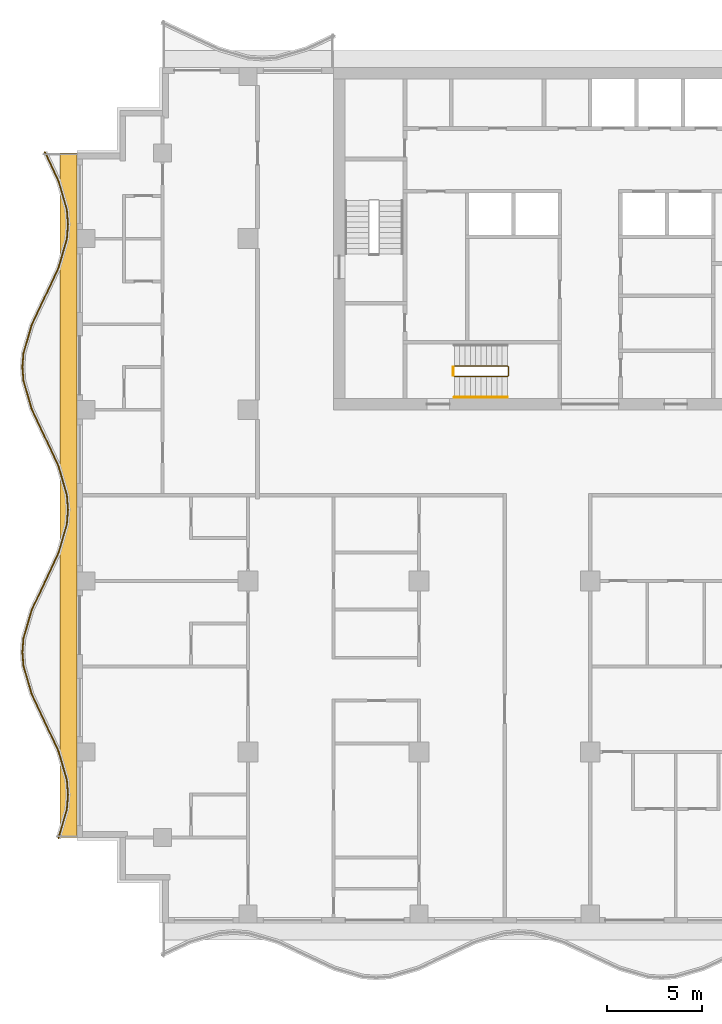
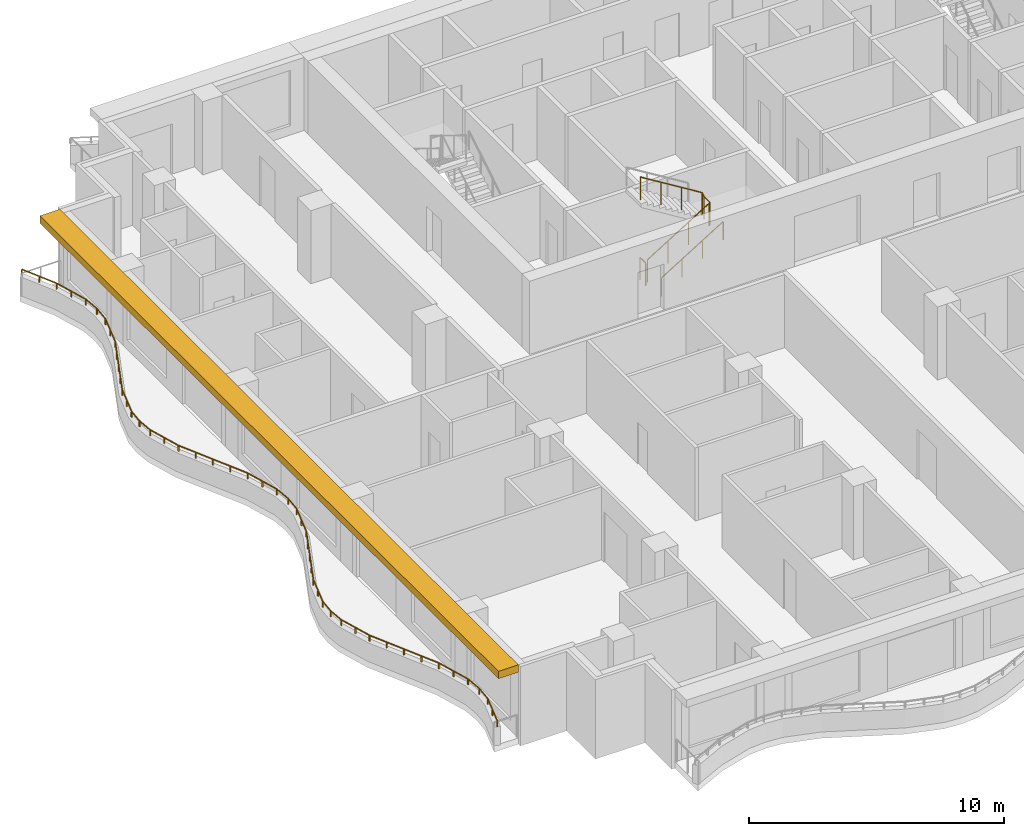
# One storey, part 9 of 11: 4 railings, 1 shading device.
"""IFC4 building model written with IfcOpenShell, lengths in metres."""

from ifc_helpers import new_model, si_unit, direction, frame, origin, origin_2d, place, context, subcontext, project, spatial, polyline, rectangle, circle, outline, extrude, material, layer, layer_set, type_object, element, save


model = new_model("IFC4")

# Units and contexts
model_context = context("Model", 3, precision=1e-05, world=origin(), true_north=direction((0.0, 1.0)))
body_context = subcontext(model_context, "Body", "Model", "MODEL_VIEW")
ifc_project = project(units=[si_unit("LENGTHUNIT", "METRE"), si_unit("AREAUNIT", "SQUARE_METRE"), si_unit("VOLUMEUNIT", "CUBIC_METRE"), si_unit("PLANEANGLEUNIT", "RADIAN"), si_unit("MASSUNIT", "GRAM", prefix="KILO")], contexts=[model_context])

# Site, building, storey
site_placement = place(None, origin())
site = spatial("IfcSite", under=ifc_project, at=site_placement, CompositionType="ELEMENT")
building_placement = place(site_placement, origin())
building = spatial("IfcBuilding", under=site, at=building_placement, Name="Orbiselva Terraces", CompositionType="ELEMENT")
storey_placement = place(building_placement, frame((0.0, 0.0, 226.2)))
storey = spatial("IfcBuildingStorey", under=building, at=storey_placement, Name="L57", CompositionType="ELEMENT", Elevation=226.2)

# Railings
ifc_material_1 = material(Name="Stainless steel", Category="steel")
railing_type_1 = type_object("IfcRailingType", Name="CORE-GUARD-1100", PredefinedType="GUARDRAIL", material=ifc_material_1)
railing_1_placement = place(storey_placement, frame((-7.15, 6.25, 0.172727)))
element("IfcRailing", 1, at=railing_1_placement, inside=storey, type_object=railing_type_1, Name="L57 S3 stair guard 1", PredefinedType="GUARDRAIL", context=body_context, shape_type="SweptSolid", body=[
    extrude(circle(Radius=0.024, at=origin_2d()), frame((0.0, 0.0, 1.081), z_axis=(0.851088519012, 0.0, 0.52502222125), x_axis=(0.0, 1.0, 0.0)), (0.0, 0.0, 1.0), 3.289905),
    extrude(circle(Radius=0.024, at=origin_2d()), frame((2.8, 0.0, 2.808273), z_axis=(0.707106781187, 0.707106781187, 0.0), x_axis=(-0.707106781187, 0.707106781187, 0.0)), (0.0, 0.0, 1.0), 0.070711),
    extrude(circle(Radius=0.024, at=origin_2d()), frame((2.85, 0.05, 2.808273), z_axis=(0.0, 1.0, 0.0), x_axis=(-1.0, 0.0, 0.0)), (0.0, 0.0, 1.0), 0.45),
    extrude(circle(Radius=0.024, at=origin_2d()), frame((2.85, 0.5, 2.808273), z_axis=(-0.267894925557, 0.267894925557, 0.925453736133), x_axis=(-0.707106781187, -0.707106781187, 0.0)), (0.0, 0.0, 1.0), 0.18664),
    extrude(circle(Radius=0.024, at=origin_2d()), frame((2.8, 0.55, 2.981), z_axis=(-0.851088519012, 0.0, 0.52502222125), x_axis=(0.0, -1.0, 0.0)), (0.0, 0.0, 1.0), 3.289905),
    extrude(circle(Radius=0.021, at=origin_2d()), origin(), (0.0, 0.0, 1.0), 1.057),
    extrude(circle(Radius=0.021, at=origin_2d()), frame((0.933333, 0.0, 0.575758)), (0.0, 0.0, 1.0), 1.057),
    extrude(circle(Radius=0.021, at=origin_2d()), frame((1.866667, 0.0, 1.151515)), (0.0, 0.0, 1.0), 1.057),
    extrude(circle(Radius=0.021, at=origin_2d()), frame((2.8, 0.0, 1.727273)), (0.0, 0.0, 1.0), 1.057),
    extrude(circle(Radius=0.021, at=origin_2d()), frame((2.85, 0.05, 1.727273)), (0.0, 0.0, 1.0), 1.057),
    extrude(circle(Radius=0.021, at=origin_2d()), frame((2.85, 0.5, 1.727273)), (0.0, 0.0, 1.0), 1.057),
    extrude(circle(Radius=0.021, at=origin_2d()), frame((2.8, 0.55, 1.9)), (0.0, 0.0, 1.0), 1.057),
    extrude(circle(Radius=0.021, at=origin_2d()), frame((1.866667, 0.55, 2.475758)), (0.0, 0.0, 1.0), 1.057),
    extrude(circle(Radius=0.021, at=origin_2d()), frame((0.933333, 0.55, 3.051515)), (0.0, 0.0, 1.0), 1.057),
    extrude(circle(Radius=0.021, at=origin_2d()), frame((0.0, 0.55, 3.627273)), (0.0, 0.0, 1.0), 1.057),
])
railing_2_placement = place(storey_placement, frame((-7.2, 6.3, 0.0)))
element("IfcRailing", 2, at=railing_2_placement, inside=storey, type_object=railing_type_1, Name="L57 S3 stair guard 2", PredefinedType="GUARDRAIL", context=body_context, shape_type="SweptSolid", body=[
    extrude(circle(Radius=0.024, at=origin_2d()), frame((0.0, 0.0, 1.081), z_axis=(0.0, 1.0, 0.0), x_axis=(-1.0, 0.0, 0.0)), (0.0, 0.0, 1.0), 0.45),
    extrude(circle(Radius=0.021, at=origin_2d()), origin(), (0.0, 0.0, 1.0), 1.057),
    extrude(circle(Radius=0.021, at=origin_2d()), frame((0.0, 0.45, 0.0)), (0.0, 0.0, 1.0), 1.057),
])
railing_type_2 = type_object("IfcRailingType", Name="CORE-HANDRAIL-900", PredefinedType="HANDRAIL", material=ifc_material_1)
railing_3_placement = place(storey_placement, frame((-7.15, 5.15, 0.172727)))
element("IfcRailing", 3, at=railing_3_placement, inside=storey, type_object=railing_type_2, Name="L57 S3 stair handrail 1", PredefinedType="HANDRAIL", context=body_context, shape_type="SweptSolid", body=[
    extrude(circle(Radius=0.024, at=origin_2d()), frame((0.0, 0.0, 0.876), z_axis=(0.851088519012, 0.0, 0.52502222125), x_axis=(0.0, 1.0, 0.0)), (0.0, 0.0, 1.0), 3.289905),
    extrude(circle(Radius=0.021, at=origin_2d()), origin(), (0.0, 0.0, 1.0), 0.852),
    extrude(circle(Radius=0.021, at=origin_2d()), frame((0.933333, 0.0, 0.575758)), (0.0, 0.0, 1.0), 0.852),
    extrude(circle(Radius=0.021, at=origin_2d()), frame((1.866667, 0.0, 1.151515)), (0.0, 0.0, 1.0), 0.852),
    extrude(circle(Radius=0.021, at=origin_2d()), frame((2.8, 0.0, 1.727273)), (0.0, 0.0, 1.0), 0.852),
])
ifc_material_2 = material(Name="Bonded two-ply safety glass balustrade, stainless steel posts", Category="steel")
railing_type_3 = type_object("IfcRailingType", Name="ENV-BALUSTRADE-1200", PredefinedType="BALUSTRADE", material=ifc_material_2)
railing_4_placement = place(storey_placement, frame((-28.686882, 18.053191, 0.9)))
element("IfcRailing", 4, at=railing_4_placement, inside=storey, type_object=railing_type_3, Name="Balcony balustrade L57 W", PredefinedType="BALUSTRADE", context=body_context, shape_type="SweptSolid", body=[
    extrude(outline(polyline([(0.028868, 0.0), (0.014434, 0.025), (-0.014434, 0.025), (-0.028868, 0.0), (-0.014434, -0.025), (0.014434, -0.025), (0.028868, 0.0)])), frame((0.0, 0.0, 0.275), z_axis=(0.425530342069, -0.904944157382, 0.0), x_axis=(0.904944157382, 0.425530342069, 0.0)), (0.0, 0.0, 1.0), 1.667376),
    extrude(outline(polyline([(0.028868, 0.0), (0.014434, 0.025), (-0.014434, 0.025), (-0.028868, 0.0), (-0.014434, -0.025), (0.014434, -0.025), (0.028868, 0.0)])), frame((0.709519, -1.508882, 0.275), z_axis=(0.279070928786, -0.960270491427, 0.0), x_axis=(0.960270491427, 0.279070928786, 0.0)), (0.0, 0.0, 1.0), 1.584712),
    extrude(outline(polyline([(0.028868, 0.0), (0.014434, 0.025), (-0.014434, 0.025), (-0.028868, 0.0), (-0.014434, -0.025), (0.014434, -0.025), (0.028868, 0.0)])), frame((1.151766, -3.030634, 0.275), z_axis=(0.078071061106, -0.996947796737, 0.0), x_axis=(0.996947796737, 0.078071061106, 0.0)), (0.0, 0.0, 1.0), 0.774922),
    extrude(outline(polyline([(0.028868, 0.0), (0.014434, 0.025), (-0.014434, 0.025), (-0.028868, 0.0), (-0.014434, -0.025), (0.014434, -0.025), (0.028868, 0.0)])), frame((1.212265, -3.803191, 0.275), z_axis=(-0.078071061106, -0.996947796737, 0.0), x_axis=(0.996947796737, -0.078071061106, 0.0)), (0.0, 0.0, 1.0), 0.774922),
    extrude(outline(polyline([(0.028868, 0.0), (0.014434, 0.025), (-0.014434, 0.025), (-0.028868, 0.0), (-0.014434, -0.025), (0.014434, -0.025), (0.028868, 0.0)])), frame((1.151766, -4.575748, 0.275), z_axis=(-0.279070928786, -0.960270491427, 0.0), x_axis=(0.960270491427, -0.279070928786, 0.0)), (0.0, 0.0, 1.0), 1.584712),
    extrude(outline(polyline([(0.028868, 0.0), (0.014434, 0.025), (-0.014434, 0.025), (-0.028868, 0.0), (-0.014434, -0.025), (0.014434, -0.025), (0.028868, 0.0)])), frame((0.709519, -6.0975, 0.275), z_axis=(-0.425530342069, -0.904944157382, 0.0), x_axis=(0.904944157382, -0.425530342069, 0.0)), (0.0, 0.0, 1.0), 1.667376),
    extrude(outline(polyline([(0.028868, 0.0), (0.014434, 0.025), (-0.014434, 0.025), (-0.028868, 0.0), (-0.014434, -0.025), (0.014434, -0.025), (0.028868, 0.0)])), frame((0.0, -7.606382, 0.275), z_axis=(-0.425529912322, -0.904944359461, 0.0), x_axis=(0.904944359461, -0.425529912322, 0.0)), (0.0, 0.0, 1.0), 1.647746),
    extrude(outline(polyline([(0.028868, 0.0), (0.014434, 0.025), (-0.014434, 0.025), (-0.028868, 0.0), (-0.014434, -0.025), (0.014434, -0.025), (0.028868, 0.0)])), frame((-0.701165, -9.0975, 0.275), z_axis=(-0.279071528957, -0.960270317007, 0.0), x_axis=(0.960270317007, -0.279071528957, 0.0)), (0.0, 0.0, 1.0), 1.539408),
    extrude(outline(polyline([(0.028868, 0.0), (0.014434, 0.025), (-0.014434, 0.025), (-0.028868, 0.0), (-0.014434, -0.025), (0.014434, -0.025), (0.028868, 0.0)])), frame((-1.13077, -10.575748, 0.275), z_axis=(-0.078069536776, -0.996947916106, 0.0), x_axis=(0.996947916106, -0.078069536776, 0.0)), (0.0, 0.0, 1.0), 0.72967),
    extrude(outline(polyline([(0.028868, 0.0), (0.014434, 0.025), (-0.014434, 0.025), (-0.028868, 0.0), (-0.014434, -0.025), (0.014434, -0.025), (0.028868, 0.0)])), frame((-1.187735, -11.303191, 0.275), z_axis=(0.078069536776, -0.996947916106, 0.0), x_axis=(0.996947916106, 0.078069536776, 0.0)), (0.0, 0.0, 1.0), 0.72967),
    extrude(outline(polyline([(0.028868, 0.0), (0.014434, 0.025), (-0.014434, 0.025), (-0.028868, 0.0), (-0.014434, -0.025), (0.014434, -0.025), (0.028868, 0.0)])), frame((-1.13077, -12.030634, 0.275), z_axis=(0.279071528957, -0.960270317007, 0.0), x_axis=(0.960270317007, 0.279071528957, 0.0)), (0.0, 0.0, 1.0), 1.539408),
    extrude(outline(polyline([(0.028868, 0.0), (0.014434, 0.025), (-0.014434, 0.025), (-0.028868, 0.0), (-0.014434, -0.025), (0.014434, -0.025), (0.028868, 0.0)])), frame((-0.701165, -13.508882, 0.275), z_axis=(0.425529912322, -0.904944359461, 0.0), x_axis=(0.904944359461, 0.425529912322, 0.0)), (0.0, 0.0, 1.0), 1.647746),
    extrude(outline(polyline([(0.028868, 0.0), (0.014434, 0.025), (-0.014434, 0.025), (-0.028868, 0.0), (-0.014434, -0.025), (0.014434, -0.025), (0.028868, 0.0)])), frame((0.0, -15.0, 0.275), z_axis=(0.425530342069, -0.904944157382, 0.0), x_axis=(0.904944157382, 0.425530342069, 0.0)), (0.0, 0.0, 1.0), 1.667376),
    extrude(outline(polyline([(0.028868, 0.0), (0.014434, 0.025), (-0.014434, 0.025), (-0.028868, 0.0), (-0.014434, -0.025), (0.014434, -0.025), (0.028868, 0.0)])), frame((0.709519, -16.508882, 0.275), z_axis=(0.279070928786, -0.960270491427, 0.0), x_axis=(0.960270491427, 0.279070928786, 0.0)), (0.0, 0.0, 1.0), 1.584712),
    extrude(outline(polyline([(0.028868, 0.0), (0.014434, 0.025), (-0.014434, 0.025), (-0.028868, 0.0), (-0.014434, -0.025), (0.014434, -0.025), (0.028868, 0.0)])), frame((1.151766, -18.030634, 0.275), z_axis=(0.078071061106, -0.996947796737, 0.0), x_axis=(0.996947796737, 0.078071061106, 0.0)), (0.0, 0.0, 1.0), 0.774922),
    extrude(outline(polyline([(0.028868, 0.0), (0.014434, 0.025), (-0.014434, 0.025), (-0.028868, 0.0), (-0.014434, -0.025), (0.014434, -0.025), (0.028868, 0.0)])), frame((1.212265, -18.803191, 0.275), z_axis=(-0.078071061106, -0.996947796737, 0.0), x_axis=(0.996947796737, -0.078071061106, 0.0)), (0.0, 0.0, 1.0), 0.774922),
    extrude(outline(polyline([(0.028868, 0.0), (0.014434, 0.025), (-0.014434, 0.025), (-0.028868, 0.0), (-0.014434, -0.025), (0.014434, -0.025), (0.028868, 0.0)])), frame((1.151766, -19.575748, 0.275), z_axis=(-0.279070928786, -0.960270491427, 0.0), x_axis=(0.960270491427, -0.279070928786, 0.0)), (0.0, 0.0, 1.0), 1.584712),
    extrude(outline(polyline([(0.028868, 0.0), (0.014434, 0.025), (-0.014434, 0.025), (-0.028868, 0.0), (-0.014434, -0.025), (0.014434, -0.025), (0.028868, 0.0)])), frame((0.709519, -21.0975, 0.275), z_axis=(-0.425530342069, -0.904944157382, 0.0), x_axis=(0.904944157382, -0.425530342069, 0.0)), (0.0, 0.0, 1.0), 1.667376),
    extrude(outline(polyline([(0.028868, 0.0), (0.014434, 0.025), (-0.014434, 0.025), (-0.028868, 0.0), (-0.014434, -0.025), (0.014434, -0.025), (0.028868, 0.0)])), frame((0.0, -22.606382, 0.275), z_axis=(-0.425529912322, -0.904944359461, 0.0), x_axis=(0.904944359461, -0.425529912322, 0.0)), (0.0, 0.0, 1.0), 1.647746),
    extrude(outline(polyline([(0.028868, 0.0), (0.014434, 0.025), (-0.014434, 0.025), (-0.028868, 0.0), (-0.014434, -0.025), (0.014434, -0.025), (0.028868, 0.0)])), frame((-0.701165, -24.0975, 0.275), z_axis=(-0.279071528957, -0.960270317007, 0.0), x_axis=(0.960270317007, -0.279071528957, 0.0)), (0.0, 0.0, 1.0), 1.539408),
    extrude(outline(polyline([(0.028868, 0.0), (0.014434, 0.025), (-0.014434, 0.025), (-0.028868, 0.0), (-0.014434, -0.025), (0.014434, -0.025), (0.028868, 0.0)])), frame((-1.13077, -25.575748, 0.275), z_axis=(-0.078069536776, -0.996947916106, 0.0), x_axis=(0.996947916106, -0.078069536776, 0.0)), (0.0, 0.0, 1.0), 0.72967),
    extrude(outline(polyline([(0.028868, 0.0), (0.014434, 0.025), (-0.014434, 0.025), (-0.028868, 0.0), (-0.014434, -0.025), (0.014434, -0.025), (0.028868, 0.0)])), frame((-1.187735, -26.303191, 0.275), z_axis=(0.078069536776, -0.996947916106, 0.0), x_axis=(0.996947916106, 0.078069536776, 0.0)), (0.0, 0.0, 1.0), 0.72967),
    extrude(outline(polyline([(0.028868, 0.0), (0.014434, 0.025), (-0.014434, 0.025), (-0.028868, 0.0), (-0.014434, -0.025), (0.014434, -0.025), (0.028868, 0.0)])), frame((-1.13077, -27.030634, 0.275), z_axis=(0.279071528957, -0.960270317007, 0.0), x_axis=(0.960270317007, 0.279071528957, 0.0)), (0.0, 0.0, 1.0), 1.539408),
    extrude(outline(polyline([(0.028868, 0.0), (0.014434, 0.025), (-0.014434, 0.025), (-0.028868, 0.0), (-0.014434, -0.025), (0.014434, -0.025), (0.028868, 0.0)])), frame((-0.701165, -28.508882, 0.275), z_axis=(0.425529912322, -0.904944359461, 0.0), x_axis=(0.904944359461, 0.425529912322, 0.0)), (0.0, 0.0, 1.0), 1.647746),
    extrude(outline(polyline([(0.028868, 0.0), (0.014434, 0.025), (-0.014434, 0.025), (-0.028868, 0.0), (-0.014434, -0.025), (0.014434, -0.025), (0.028868, 0.0)])), frame((0.0, -30.0, 0.275), z_axis=(0.425530342069, -0.904944157382, 0.0), x_axis=(0.904944157382, 0.425530342069, 0.0)), (0.0, 0.0, 1.0), 1.667376),
    extrude(outline(polyline([(0.028868, 0.0), (0.014434, 0.025), (-0.014434, 0.025), (-0.028868, 0.0), (-0.014434, -0.025), (0.014434, -0.025), (0.028868, 0.0)])), frame((0.709519, -31.508882, 0.275), z_axis=(0.279070928786, -0.960270491427, 0.0), x_axis=(0.960270491427, 0.279070928786, 0.0)), (0.0, 0.0, 1.0), 1.584712),
    extrude(outline(polyline([(0.028868, 0.0), (0.014434, 0.025), (-0.014434, 0.025), (-0.028868, 0.0), (-0.014434, -0.025), (0.014434, -0.025), (0.028868, 0.0)])), frame((1.151766, -33.030634, 0.275), z_axis=(0.078071061106, -0.996947796737, 0.0), x_axis=(0.996947796737, 0.078071061106, 0.0)), (0.0, 0.0, 1.0), 0.774922),
    extrude(outline(polyline([(0.028868, 0.0), (0.014434, 0.025), (-0.014434, 0.025), (-0.028868, 0.0), (-0.014434, -0.025), (0.014434, -0.025), (0.028868, 0.0)])), frame((1.212265, -33.803191, 0.275), z_axis=(-0.078071061106, -0.996947796737, 0.0), x_axis=(0.996947796737, -0.078071061106, 0.0)), (0.0, 0.0, 1.0), 0.774922),
    extrude(outline(polyline([(0.028868, 0.0), (0.014434, 0.025), (-0.014434, 0.025), (-0.028868, 0.0), (-0.014434, -0.025), (0.014434, -0.025), (0.028868, 0.0)])), frame((1.151766, -34.575748, 0.275), z_axis=(-0.279070966973, -0.96027048033, 0.0), x_axis=(0.96027048033, -0.279070966973, 0.0)), (0.0, 0.0, 1.0), 1.574897),
    extrude(rectangle(XDim=0.05, YDim=0.05, at=origin_2d()), origin(), (0.0, 0.0, 1.0), 0.25),
    extrude(rectangle(XDim=0.05, YDim=0.05, at=origin_2d()), frame((0.35476, -0.754441, 0.0)), (0.0, 0.0, 1.0), 0.25),
    extrude(rectangle(XDim=0.05, YDim=0.05, at=origin_2d()), frame((0.709519, -1.508882, 0.0)), (0.0, 0.0, 1.0), 0.25),
    extrude(rectangle(XDim=0.05, YDim=0.05, at=origin_2d()), frame((0.930643, -2.269758, 0.0)), (0.0, 0.0, 1.0), 0.25),
    extrude(rectangle(XDim=0.05, YDim=0.05, at=origin_2d()), frame((1.151766, -3.030634, 0.0)), (0.0, 0.0, 1.0), 0.25),
    extrude(rectangle(XDim=0.05, YDim=0.05, at=origin_2d()), frame((1.212265, -3.803191, 0.0)), (0.0, 0.0, 1.0), 0.25),
    extrude(rectangle(XDim=0.05, YDim=0.05, at=origin_2d()), frame((1.151766, -4.575748, 0.0)), (0.0, 0.0, 1.0), 0.25),
    extrude(rectangle(XDim=0.05, YDim=0.05, at=origin_2d()), frame((0.930643, -5.336624, 0.0)), (0.0, 0.0, 1.0), 0.25),
    extrude(rectangle(XDim=0.05, YDim=0.05, at=origin_2d()), frame((0.709519, -6.0975, 0.0)), (0.0, 0.0, 1.0), 0.25),
    extrude(rectangle(XDim=0.05, YDim=0.05, at=origin_2d()), frame((0.35476, -6.851941, 0.0)), (0.0, 0.0, 1.0), 0.25),
    extrude(rectangle(XDim=0.05, YDim=0.05, at=origin_2d()), frame((0.0, -7.606382, 0.0)), (0.0, 0.0, 1.0), 0.25),
    extrude(rectangle(XDim=0.05, YDim=0.05, at=origin_2d()), frame((-0.350582, -8.351941, 0.0)), (0.0, 0.0, 1.0), 0.25),
    extrude(rectangle(XDim=0.05, YDim=0.05, at=origin_2d()), frame((-0.701165, -9.0975, 0.0)), (0.0, 0.0, 1.0), 0.25),
    extrude(rectangle(XDim=0.05, YDim=0.05, at=origin_2d()), frame((-0.915967, -9.836624, 0.0)), (0.0, 0.0, 1.0), 0.25),
    extrude(rectangle(XDim=0.05, YDim=0.05, at=origin_2d()), frame((-1.13077, -10.575748, 0.0)), (0.0, 0.0, 1.0), 0.25),
    extrude(rectangle(XDim=0.05, YDim=0.05, at=origin_2d()), frame((-1.187735, -11.303191, 0.0)), (0.0, 0.0, 1.0), 0.25),
    extrude(rectangle(XDim=0.05, YDim=0.05, at=origin_2d()), frame((-1.13077, -12.030634, 0.0)), (0.0, 0.0, 1.0), 0.25),
    extrude(rectangle(XDim=0.05, YDim=0.05, at=origin_2d()), frame((-0.915967, -12.769758, 0.0)), (0.0, 0.0, 1.0), 0.25),
    extrude(rectangle(XDim=0.05, YDim=0.05, at=origin_2d()), frame((-0.701165, -13.508882, 0.0)), (0.0, 0.0, 1.0), 0.25),
    extrude(rectangle(XDim=0.05, YDim=0.05, at=origin_2d()), frame((-0.350582, -14.254441, 0.0)), (0.0, 0.0, 1.0), 0.25),
    extrude(rectangle(XDim=0.05, YDim=0.05, at=origin_2d()), frame((0.0, -15.0, 0.0)), (0.0, 0.0, 1.0), 0.25),
    extrude(rectangle(XDim=0.05, YDim=0.05, at=origin_2d()), frame((0.35476, -15.754441, 0.0)), (0.0, 0.0, 1.0), 0.25),
    extrude(rectangle(XDim=0.05, YDim=0.05, at=origin_2d()), frame((0.709519, -16.508882, 0.0)), (0.0, 0.0, 1.0), 0.25),
    extrude(rectangle(XDim=0.05, YDim=0.05, at=origin_2d()), frame((0.930643, -17.269758, 0.0)), (0.0, 0.0, 1.0), 0.25),
    extrude(rectangle(XDim=0.05, YDim=0.05, at=origin_2d()), frame((1.151766, -18.030634, 0.0)), (0.0, 0.0, 1.0), 0.25),
    extrude(rectangle(XDim=0.05, YDim=0.05, at=origin_2d()), frame((1.212265, -18.803191, 0.0)), (0.0, 0.0, 1.0), 0.25),
    extrude(rectangle(XDim=0.05, YDim=0.05, at=origin_2d()), frame((1.151766, -19.575748, 0.0)), (0.0, 0.0, 1.0), 0.25),
    extrude(rectangle(XDim=0.05, YDim=0.05, at=origin_2d()), frame((0.930643, -20.336624, 0.0)), (0.0, 0.0, 1.0), 0.25),
    extrude(rectangle(XDim=0.05, YDim=0.05, at=origin_2d()), frame((0.709519, -21.0975, 0.0)), (0.0, 0.0, 1.0), 0.25),
    extrude(rectangle(XDim=0.05, YDim=0.05, at=origin_2d()), frame((0.35476, -21.851941, 0.0)), (0.0, 0.0, 1.0), 0.25),
    extrude(rectangle(XDim=0.05, YDim=0.05, at=origin_2d()), frame((0.0, -22.606382, 0.0)), (0.0, 0.0, 1.0), 0.25),
    extrude(rectangle(XDim=0.05, YDim=0.05, at=origin_2d()), frame((-0.350582, -23.351941, 0.0)), (0.0, 0.0, 1.0), 0.25),
    extrude(rectangle(XDim=0.05, YDim=0.05, at=origin_2d()), frame((-0.701165, -24.0975, 0.0)), (0.0, 0.0, 1.0), 0.25),
    extrude(rectangle(XDim=0.05, YDim=0.05, at=origin_2d()), frame((-0.915967, -24.836624, 0.0)), (0.0, 0.0, 1.0), 0.25),
    extrude(rectangle(XDim=0.05, YDim=0.05, at=origin_2d()), frame((-1.13077, -25.575748, 0.0)), (0.0, 0.0, 1.0), 0.25),
    extrude(rectangle(XDim=0.05, YDim=0.05, at=origin_2d()), frame((-1.187735, -26.303191, 0.0)), (0.0, 0.0, 1.0), 0.25),
    extrude(rectangle(XDim=0.05, YDim=0.05, at=origin_2d()), frame((-1.13077, -27.030634, 0.0)), (0.0, 0.0, 1.0), 0.25),
    extrude(rectangle(XDim=0.05, YDim=0.05, at=origin_2d()), frame((-0.915967, -27.769758, 0.0)), (0.0, 0.0, 1.0), 0.25),
    extrude(rectangle(XDim=0.05, YDim=0.05, at=origin_2d()), frame((-0.701165, -28.508882, 0.0)), (0.0, 0.0, 1.0), 0.25),
    extrude(rectangle(XDim=0.05, YDim=0.05, at=origin_2d()), frame((-0.350582, -29.254441, 0.0)), (0.0, 0.0, 1.0), 0.25),
    extrude(rectangle(XDim=0.05, YDim=0.05, at=origin_2d()), frame((0.0, -30.0, 0.0)), (0.0, 0.0, 1.0), 0.25),
    extrude(rectangle(XDim=0.05, YDim=0.05, at=origin_2d()), frame((0.35476, -30.754441, 0.0)), (0.0, 0.0, 1.0), 0.25),
    extrude(rectangle(XDim=0.05, YDim=0.05, at=origin_2d()), frame((0.709519, -31.508882, 0.0)), (0.0, 0.0, 1.0), 0.25),
    extrude(rectangle(XDim=0.05, YDim=0.05, at=origin_2d()), frame((0.930643, -32.269758, 0.0)), (0.0, 0.0, 1.0), 0.25),
    extrude(rectangle(XDim=0.05, YDim=0.05, at=origin_2d()), frame((1.151766, -33.030634, 0.0)), (0.0, 0.0, 1.0), 0.25),
    extrude(rectangle(XDim=0.05, YDim=0.05, at=origin_2d()), frame((1.212265, -33.803191, 0.0)), (0.0, 0.0, 1.0), 0.25),
    extrude(rectangle(XDim=0.05, YDim=0.05, at=origin_2d()), frame((1.151766, -34.575748, 0.0)), (0.0, 0.0, 1.0), 0.25),
    extrude(rectangle(XDim=0.05, YDim=0.05, at=origin_2d()), frame((0.932012, -35.331912, 0.0)), (0.0, 0.0, 1.0), 0.25),
    extrude(rectangle(XDim=0.05, YDim=0.05, at=origin_2d()), frame((0.712258, -36.088075, 0.0)), (0.0, 0.0, 1.0), 0.25),
])

# Shading device
ifc_material_3 = material(Name="Terracotta baguette sunshade", Category="masonry")
ifc_layer = layer(ifc_material_3, 0.35)
ifc_layer_set = layer_set([ifc_layer], Name="Terracotta baguette sunshade")
shading_device_type = type_object("IfcShadingDeviceType", Name="ENV-SUNSHADE-900x350", PredefinedType="USERDEFINED", material=ifc_layer_set)
shading_device_placement = place(storey_placement, frame((0.0, 0.0, 3.15)))
element("IfcShadingDevice", 5, at=shading_device_placement, inside=storey, type_object=shading_device_type, Name="Sunshade band L57 W", ObjectType="SUNSHADE", PredefinedType="USERDEFINED", context=body_context, shape_type="SweptSolid", body=[
    extrude(outline(polyline([(-27.9, 18.0), (-27.9, -18.0), (-27.0, -18.0), (-27.0, 18.0), (-27.9, 18.0)])), origin(), (0.0, 0.0, 1.0), 0.35),
])

save(model, "model.ifc")
